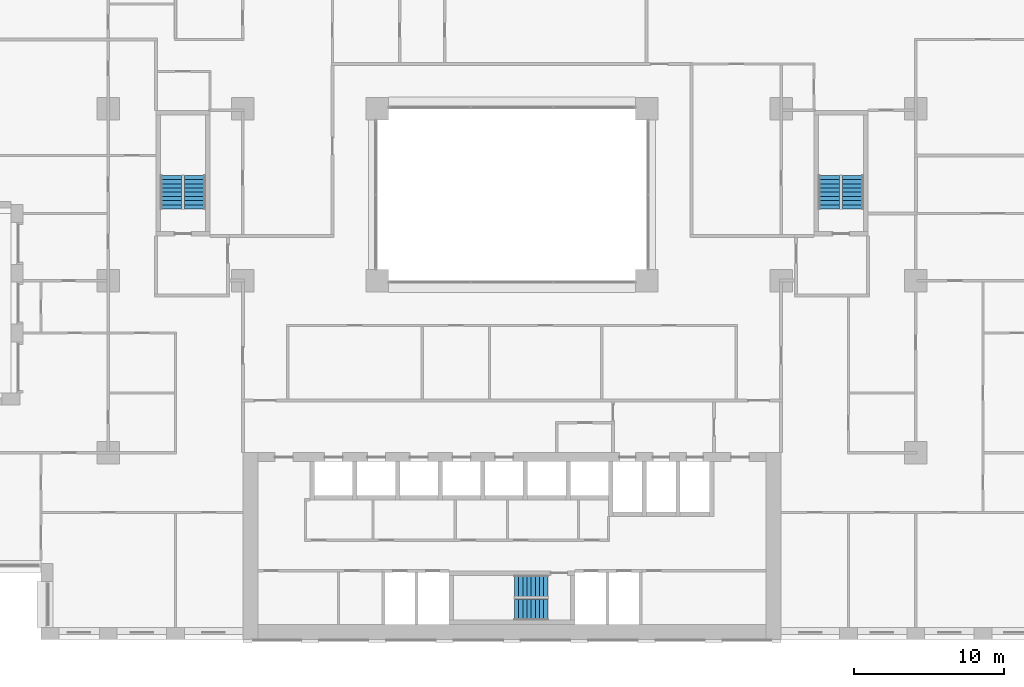
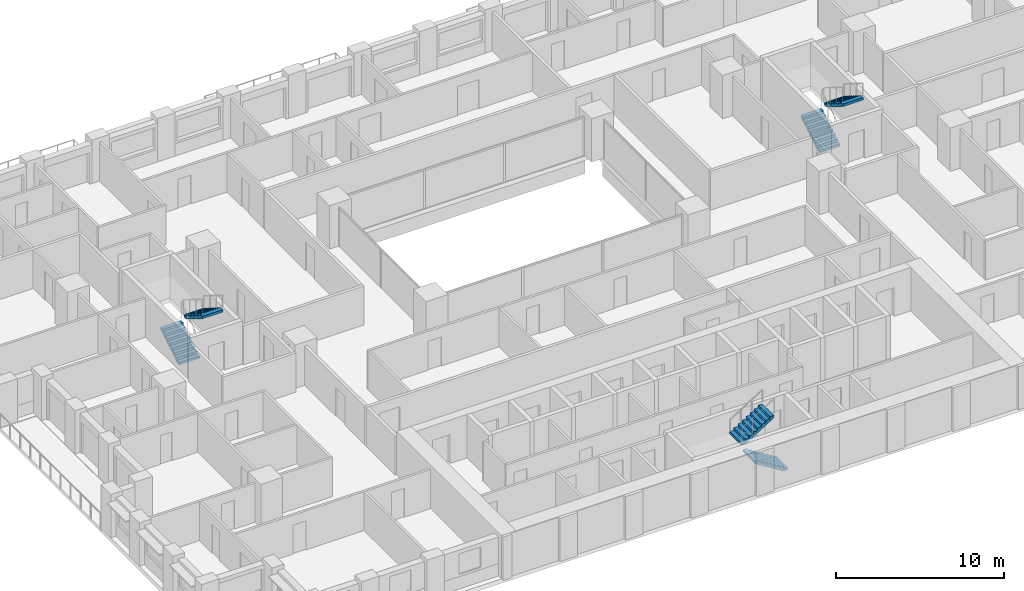
# One storey, part 18 of 20: 6 stair flights, 3 elements without a shape of their own.
"""IFC4 building model written with IfcOpenShell, lengths in metres."""

import ifcopenshell
import ifcopenshell.guid

model = None  # the IFC model being written
_history = None  # IfcOwnerHistory: only IFC2X3 demands one
_inside = {}  # id of a spatial element -> (the spatial element, [elements in it])
_under = {}  # id of a project, library or spatial element -> (it, [spatial elements below it])
_declared = {}  # id of a project -> (the project, [libraries it declares])
_typed = {}  # id of a type object -> (the type object, [elements of that type])
_made_of = {}  # id of a material, layer set ... -> (it, [elements and type objects made of it])


def new_model(schema):
    """Start an empty IFC model of exactly this schema.

    Asked for "IFC4X3", IfcOpenShell would pick the latest addendum, in which some entities
    have other attributes; the version numbers below select the first issue.
    IFC2X3 requires an IfcOwnerHistory on every rooted entity: one is made here for all.
    """
    global model, _history
    if schema == "IFC4X3":
        model = ifcopenshell.file(schema_version=(4, 3, 0, 0))
    else:
        model = ifcopenshell.file(schema=schema)
    _inside.clear()
    _under.clear()
    _declared.clear()
    _typed.clear()
    _made_of.clear()
    _history = None
    if model.schema == "IFC2X3":
        org = make("IfcOrganization", Name="unknown")
        user = make(
            "IfcPersonAndOrganization",
            ThePerson=make("IfcPerson", FamilyName="unknown"),
            TheOrganization=org,
        )
        app = make(
            "IfcApplication",
            ApplicationDeveloper=org,
            Version="unknown",
            ApplicationFullName="unknown",
            ApplicationIdentifier="unknown",
        )
        _history = make(
            "IfcOwnerHistory",
            OwningUser=user,
            OwningApplication=app,
            ChangeAction="ADDED",
            CreationDate=0,
        )
    return model


def make(cls, **values):
    """One entity of the class cls with the attributes given. An attribute that is None is left unset."""
    return model.create_entity(
        cls, **{name: value for name, value in values.items() if value is not None}
    )


def rooted(cls, **values):
    """An entity with a GlobalId (a new one), such as an element, a storey or a relation."""
    return make(cls, GlobalId=ifcopenshell.guid.new(), OwnerHistory=_history, **values)


def si_unit(unit_type, name, prefix=None):
    """IfcSIUnit, for example si_unit("LENGTHUNIT", "METRE", prefix="MILLI")."""
    return make("IfcSIUnit", UnitType=unit_type, Prefix=prefix, Name=name)


def assignment(units):
    """IfcUnitAssignment: the units of a project."""
    return None if units is None else make("IfcUnitAssignment", Units=units)


def point(xyz):
    """IfcCartesianPoint."""
    return None if xyz is None else make("IfcCartesianPoint", Coordinates=xyz)


def direction(xyz):
    """IfcDirection."""
    return None if xyz is None else make("IfcDirection", DirectionRatios=xyz)


def frame(location, z_axis=None, x_axis=None):
    """IfcAxis2Placement3D, a coordinate frame: its origin and axes. An axis left out is left unset."""
    return make(
        "IfcAxis2Placement3D",
        Location=point(location),
        Axis=direction(z_axis),
        RefDirection=direction(x_axis),
    )


def origin():
    """The frame at (0, 0, 0) with its axes left unset."""
    return frame((0.0, 0.0, 0.0))


def place(relative_to, where):
    """IfcLocalPlacement: puts the frame where relative to a parent placement (None: the world)."""
    return make(
        "IfcLocalPlacement", PlacementRelTo=relative_to, RelativePlacement=where
    )


def context(
    kind, dimensions, precision=None, world=None, true_north=None, identifier=None
):
    """IfcGeometricRepresentationContext, for example the 3D "Model" context."""
    return make(
        "IfcGeometricRepresentationContext",
        ContextIdentifier=identifier,
        ContextType=kind,
        CoordinateSpaceDimension=dimensions,
        Precision=precision,
        WorldCoordinateSystem=world,
        TrueNorth=true_north,
    )


def subcontext(parent, identifier, kind, view, scale=None):
    """IfcGeometricRepresentationSubContext, for example "Body" below "Model"."""
    return make(
        "IfcGeometricRepresentationSubContext",
        ContextIdentifier=identifier,
        ContextType=kind,
        ParentContext=parent,
        TargetScale=scale,
        TargetView=view,
    )


def project(units=None, contexts=None):
    """IfcProject with its units and contexts."""
    return rooted(
        "IfcProject",
        Name="project",
        RepresentationContexts=contexts,
        UnitsInContext=assignment(units),
    )


def spatial(cls, under=None, at=None, **own):
    """A site, building, storey or space (cls), placed at a placement, below another one or the project."""
    s = rooted(cls, ObjectPlacement=at, **own)
    if under is not None:
        _under.setdefault(under.id(), (under, []))[1].append(s)
    return s


def polyline(points):
    """IfcPolyline through the points."""
    return make("IfcPolyline", Points=[point(p) for p in points])


def outline(outer, holes=None, kind="AREA"):
    """IfcArbitraryClosedProfileDef: a profile drawn as a closed curve; with holes, ...WithVoids."""
    if holes is None:
        return make("IfcArbitraryClosedProfileDef", ProfileType=kind, OuterCurve=outer)
    return make(
        "IfcArbitraryProfileDefWithVoids",
        ProfileType=kind,
        OuterCurve=outer,
        InnerCurves=holes,
    )


def extrude(swept, where, along, depth):
    """IfcExtrudedAreaSolid: the profile swept, set in the frame where, extruded along a direction by depth."""
    return make(
        "IfcExtrudedAreaSolid",
        SweptArea=swept,
        Position=where,
        ExtrudedDirection=direction(along),
        Depth=depth,
    )


def shape(context_of_items, identifier, shape_type, items):
    """IfcShapeRepresentation: the items that make up one representation, for example the "Body"."""
    return make(
        "IfcShapeRepresentation",
        ContextOfItems=context_of_items,
        RepresentationIdentifier=identifier,
        RepresentationType=shape_type,
        Items=items,
    )


def material(Name=None, Category=None):
    """IfcMaterial."""
    return make("IfcMaterial", Name=Name, Category=Category)


def made_of(thing, what):
    """Note that an element or type object is made of a material, layer set ...; save() writes the relation."""
    if what is not None:
        _made_of.setdefault(what.id(), (what, []))[1].append(thing)
    return thing


def type_object(cls, material=None, **own):
    """A type object (cls), such as IfcWallType, which elements share."""
    return made_of(rooted(cls, **own), material)


def element(
    cls,
    number,
    at=None,
    inside=None,
    cuts=None,
    type_object=None,
    material=None,
    context=None,
    identifier="Body",
    shape_type=None,
    held_by="IfcProductDefinitionShape",
    body=None,
    shapes=None,
    **own,
):
    """One element of the class cls, such as IfcWall. Its Tag is "e" and its number.

    at: its placement. inside: the storey or other place that contains it. cuts: it is an
    opening in that element (IfcRelVoidsElement). A single representation is given by context,
    identifier, shape_type and body (its items); several are given by shapes. held_by: the class
    of the entity that holds the representations. save() writes the other relations.
    """
    e = rooted(cls, Tag="e%d" % number, ObjectPlacement=at, **own)
    if body is not None:
        shapes = [shape(context, identifier, shape_type, body)]
    if shapes is not None:
        e.Representation = make(held_by, Representations=shapes)
    if inside is not None:
        _inside.setdefault(inside.id(), (inside, []))[1].append(e)
    if cuts is not None:
        rooted(
            "IfcRelVoidsElement", RelatingBuildingElement=cuts, RelatedOpeningElement=e
        )
    if type_object is not None:
        _typed.setdefault(type_object.id(), (type_object, []))[1].append(e)
    return made_of(e, material)


def aggregate(whole, parts):
    """IfcRelAggregates: a whole, such as a stair, and the parts it consists of."""
    return rooted("IfcRelAggregates", RelatingObject=whole, RelatedObjects=parts)


def save(model, path):
    """Write the relations noted so far, then the file.

    IfcRelAggregates (storeys below a building ...), IfcRelContainedInSpatialStructure (elements
    in a storey), IfcRelDefinesByType, IfcRelAssociatesMaterial and IfcRelDeclares: one each for
    every whole, place, type object, material and project.
    """
    for whole, parts in _under.values():
        aggregate(whole, parts)
    for where, things in _inside.values():
        rooted(
            "IfcRelContainedInSpatialStructure",
            RelatedElements=things,
            RelatingStructure=where,
        )
    for kind, things in _typed.values():
        rooted("IfcRelDefinesByType", RelatedObjects=things, RelatingType=kind)
    for what, things in _made_of.values():
        rooted("IfcRelAssociatesMaterial", RelatedObjects=things, RelatingMaterial=what)
    for by, libraries in _declared.values():
        rooted("IfcRelDeclares", RelatingContext=by, RelatedDefinitions=libraries)
    model.write(path)


model = new_model("IFC4")

# Units and contexts
model_context = context("Model", 3, precision=1e-05, world=origin(), true_north=direction((0.0, 1.0)))
body_context = subcontext(model_context, "Body", "Model", "MODEL_VIEW")
ifc_project = project(units=[si_unit("LENGTHUNIT", "METRE"), si_unit("AREAUNIT", "SQUARE_METRE"), si_unit("VOLUMEUNIT", "CUBIC_METRE"), si_unit("PLANEANGLEUNIT", "RADIAN"), si_unit("MASSUNIT", "GRAM", prefix="KILO")], contexts=[model_context])

# Site, building, storey
site_placement = place(None, origin())
site = spatial("IfcSite", under=ifc_project, at=site_placement, CompositionType="ELEMENT")
building_placement = place(site_placement, origin())
building = spatial("IfcBuilding", under=site, at=building_placement, Name="Brigalow Station Residences", CompositionType="ELEMENT")
storey_placement = place(building_placement, frame((0.0, 0.0, 66.75)))
storey = spatial("IfcBuildingStorey", under=building, at=storey_placement, Name="L19", CompositionType="ELEMENT", Elevation=66.75)

# Stair, stair flights
ifc_material_1 = material(Name="Concrete C50", Category="concrete")
stair_type = type_object("IfcStairType", Name="EXIT STAIR 1400 2 FLIGHT", PredefinedType="HALF_TURN_STAIR", material=ifc_material_1)
stair_1_placement = place(storey_placement, origin())
stair_1 = element("IfcStair", 1, at=stair_1_placement, inside=storey, type_object=stair_type, Name="EXIT STAIR S2 L19", PredefinedType="HALF_TURN_STAIR")
ifc_material_2 = material(Name="Concrete C50", Category="concrete")
stair_flight_type = type_object("IfcStairFlightType", Name="STAIR FLIGHT 1400", PredefinedType="STRAIGHT", material=ifc_material_2)
stair_flight_1_placement = place(storey_placement, frame((38.39990234375, 2.0, 0.0), z_axis=(0.0, 0.0, 1.0), x_axis=(-1.0, 0.0, 0.0)))
stair_flight_1 = element("IfcStairFlight", 2, at=stair_flight_1_placement, type_object=stair_flight_type, Name="ST-2 flight 1", NumberOfRisers=9, NumberOfTreads=8, PredefinedType="STRAIGHT", RiserHeight=0.175, TreadLength=0.28, context=body_context, shape_type="SweptSolid", body=[
    extrude(outline(polyline([(0.0, 0.0), (0.0, 0.175048828125), (0.280029296875, 0.175048828125), (0.280029296875, 0.35009765625), (0.56005859375, 0.35009765625), (0.56005859375, 0.52490234375), (0.840087890625, 0.52490234375), (0.840087890625, 0.699951171875), (1.1201171875, 0.699951171875), (1.1201171875, 0.875), (1.39990234375, 0.875), (1.39990234375, 1.050048828125), (1.679931640625, 1.050048828125), (1.679931640625, 1.22509765625), (1.9599609375, 1.22509765625), (1.9599609375, 1.39990234375), (2.239990234375, 1.39990234375), (2.239990234375, 1.574951171875), (2.239990234375, 1.22314453125), (0.28271484375, 0.0), (0.0, 0.0)])), frame((0.0, 0.699951171875, 0.0), z_axis=(0.0, -1.0, 0.0), x_axis=(1.0, 0.0, 0.0)), (0.0, 0.0, 1.0), 1.39990234375),
])
stair_flight_2_placement = place(storey_placement, frame((36.159912109375, 3.60009765625, 1.574951171875), z_axis=(0.0, 0.0, 1.0), x_axis=(1.0, 0.0, 0.0)))
stair_flight_2 = element("IfcStairFlight", 3, at=stair_flight_2_placement, type_object=stair_flight_type, Name="ST-2 flight 2", NumberOfRisers=9, NumberOfTreads=8, PredefinedType="STRAIGHT", RiserHeight=0.175, TreadLength=0.28, context=body_context, shape_type="SweptSolid", body=[
    extrude(outline(polyline([(0.0, 0.0), (0.0, 0.175048828125), (0.280029296875, 0.175048828125), (0.280029296875, 0.35009765625), (0.56005859375, 0.35009765625), (0.56005859375, 0.52490234375), (0.840087890625, 0.52490234375), (0.840087890625, 0.699951171875), (1.1201171875, 0.699951171875), (1.1201171875, 0.875), (1.39990234375, 0.875), (1.39990234375, 1.050048828125), (1.679931640625, 1.050048828125), (1.679931640625, 1.22509765625), (1.9599609375, 1.22509765625), (1.9599609375, 1.39990234375), (2.239990234375, 1.39990234375), (2.239990234375, 1.574951171875), (2.239990234375, 1.22314453125), (0.28271484375, 0.0), (0.0, 0.0)])), frame((0.0, 0.699951171875, 0.0), z_axis=(0.0, -1.0, 0.0), x_axis=(1.0, 0.0, 0.0)), (0.0, 0.0, 1.0), 1.39990234375),
])
aggregate(stair_1, [stair_flight_1, stair_flight_2])

stair_2_placement = place(storey_placement, origin())
stair_2 = element("IfcStair", 4, at=stair_2_placement, inside=storey, type_object=stair_type, Name="EXIT STAIR S1 L19", PredefinedType="HALF_TURN_STAIR")
stair_flight_3_placement = place(storey_placement, frame((13.199951171875, 28.800048828125, 0.0), z_axis=(0.0, 0.0, 1.0), x_axis=(0.0, 1.0, 0.0)))
stair_flight_3 = element("IfcStairFlight", 5, at=stair_flight_3_placement, type_object=stair_flight_type, Name="ST-1 flight 1", NumberOfRisers=9, NumberOfTreads=8, PredefinedType="STRAIGHT", RiserHeight=0.175, TreadLength=0.28, context=body_context, shape_type="SweptSolid", body=[
    extrude(outline(polyline([(0.0, 0.0), (0.0, 0.175048828125), (0.280029296875, 0.175048828125), (0.280029296875, 0.35009765625), (0.56005859375, 0.35009765625), (0.56005859375, 0.52490234375), (0.840087890625, 0.52490234375), (0.840087890625, 0.699951171875), (1.1201171875, 0.699951171875), (1.1201171875, 0.875), (1.39990234375, 0.875), (1.39990234375, 1.050048828125), (1.679931640625, 1.050048828125), (1.679931640625, 1.22509765625), (1.9599609375, 1.22509765625), (1.9599609375, 1.39990234375), (2.239990234375, 1.39990234375), (2.239990234375, 1.574951171875), (2.239990234375, 1.22314453125), (0.28271484375, 0.0), (0.0, 0.0)])), frame((0.0, 0.699951171875, 0.0), z_axis=(0.0, -1.0, 0.0), x_axis=(1.0, 0.0, 0.0)), (0.0, 0.0, 1.0), 1.39990234375),
])
stair_flight_4_placement = place(storey_placement, frame((14.800048828125, 31.0400390625, 1.574951171875), z_axis=(0.0, 0.0, 1.0), x_axis=(0.0, -1.0, 0.0)))
stair_flight_4 = element("IfcStairFlight", 6, at=stair_flight_4_placement, type_object=stair_flight_type, Name="ST-1 flight 2", NumberOfRisers=9, NumberOfTreads=8, PredefinedType="STRAIGHT", RiserHeight=0.175, TreadLength=0.28, context=body_context, shape_type="SweptSolid", body=[
    extrude(outline(polyline([(0.0, 0.0), (0.0, 0.175048828125), (0.280029296875, 0.175048828125), (0.280029296875, 0.35009765625), (0.56005859375, 0.35009765625), (0.56005859375, 0.52490234375), (0.840087890625, 0.52490234375), (0.840087890625, 0.699951171875), (1.1201171875, 0.699951171875), (1.1201171875, 0.875), (1.39990234375, 0.875), (1.39990234375, 1.050048828125), (1.679931640625, 1.050048828125), (1.679931640625, 1.22509765625), (1.9599609375, 1.22509765625), (1.9599609375, 1.39990234375), (2.239990234375, 1.39990234375), (2.239990234375, 1.574951171875), (2.239990234375, 1.22314453125), (0.28271484375, 0.0), (0.0, 0.0)])), frame((0.0, 0.699951171875, 0.0), z_axis=(0.0, -1.0, 0.0), x_axis=(1.0, 0.0, 0.0)), (0.0, 0.0, 1.0), 1.39990234375),
])
aggregate(stair_2, [stair_flight_3, stair_flight_4])

stair_3_placement = place(storey_placement, origin())
stair_3 = element("IfcStair", 7, at=stair_3_placement, inside=storey, type_object=stair_type, Name="EXIT STAIR S3 L19", PredefinedType="HALF_TURN_STAIR")
stair_flight_5_placement = place(storey_placement, frame((57.199951171875, 28.800048828125, 0.0), z_axis=(0.0, 0.0, 1.0), x_axis=(0.0, 1.0, 0.0)))
stair_flight_5 = element("IfcStairFlight", 8, at=stair_flight_5_placement, type_object=stair_flight_type, Name="ST-3 flight 1", NumberOfRisers=9, NumberOfTreads=8, PredefinedType="STRAIGHT", RiserHeight=0.175, TreadLength=0.28, context=body_context, shape_type="SweptSolid", body=[
    extrude(outline(polyline([(0.0, 0.0), (0.0, 0.175048828125), (0.280029296875, 0.175048828125), (0.280029296875, 0.35009765625), (0.56005859375, 0.35009765625), (0.56005859375, 0.52490234375), (0.840087890625, 0.52490234375), (0.840087890625, 0.699951171875), (1.1201171875, 0.699951171875), (1.1201171875, 0.875), (1.39990234375, 0.875), (1.39990234375, 1.050048828125), (1.679931640625, 1.050048828125), (1.679931640625, 1.22509765625), (1.9599609375, 1.22509765625), (1.9599609375, 1.39990234375), (2.239990234375, 1.39990234375), (2.239990234375, 1.574951171875), (2.239990234375, 1.22314453125), (0.28271484375, 0.0), (0.0, 0.0)])), frame((0.0, 0.699951171875, 0.0), z_axis=(0.0, -1.0, 0.0), x_axis=(1.0, 0.0, 0.0)), (0.0, 0.0, 1.0), 1.39990234375),
])
stair_flight_6_placement = place(storey_placement, frame((58.800048828125, 31.0400390625, 1.574951171875), z_axis=(0.0, 0.0, 1.0), x_axis=(0.0, -1.0, 0.0)))
stair_flight_6 = element("IfcStairFlight", 9, at=stair_flight_6_placement, type_object=stair_flight_type, Name="ST-3 flight 2", NumberOfRisers=9, NumberOfTreads=8, PredefinedType="STRAIGHT", RiserHeight=0.175, TreadLength=0.28, context=body_context, shape_type="SweptSolid", body=[
    extrude(outline(polyline([(0.0, 0.0), (0.0, 0.175048828125), (0.280029296875, 0.175048828125), (0.280029296875, 0.35009765625), (0.56005859375, 0.35009765625), (0.56005859375, 0.52490234375), (0.840087890625, 0.52490234375), (0.840087890625, 0.699951171875), (1.1201171875, 0.699951171875), (1.1201171875, 0.875), (1.39990234375, 0.875), (1.39990234375, 1.050048828125), (1.679931640625, 1.050048828125), (1.679931640625, 1.22509765625), (1.9599609375, 1.22509765625), (1.9599609375, 1.39990234375), (2.239990234375, 1.39990234375), (2.239990234375, 1.574951171875), (2.239990234375, 1.22314453125), (0.28271484375, 0.0), (0.0, 0.0)])), frame((0.0, 0.699951171875, 0.0), z_axis=(0.0, -1.0, 0.0), x_axis=(1.0, 0.0, 0.0)), (0.0, 0.0, 1.0), 1.39990234375),
])
aggregate(stair_3, [stair_flight_5, stair_flight_6])

save(model, "model.ifc")
